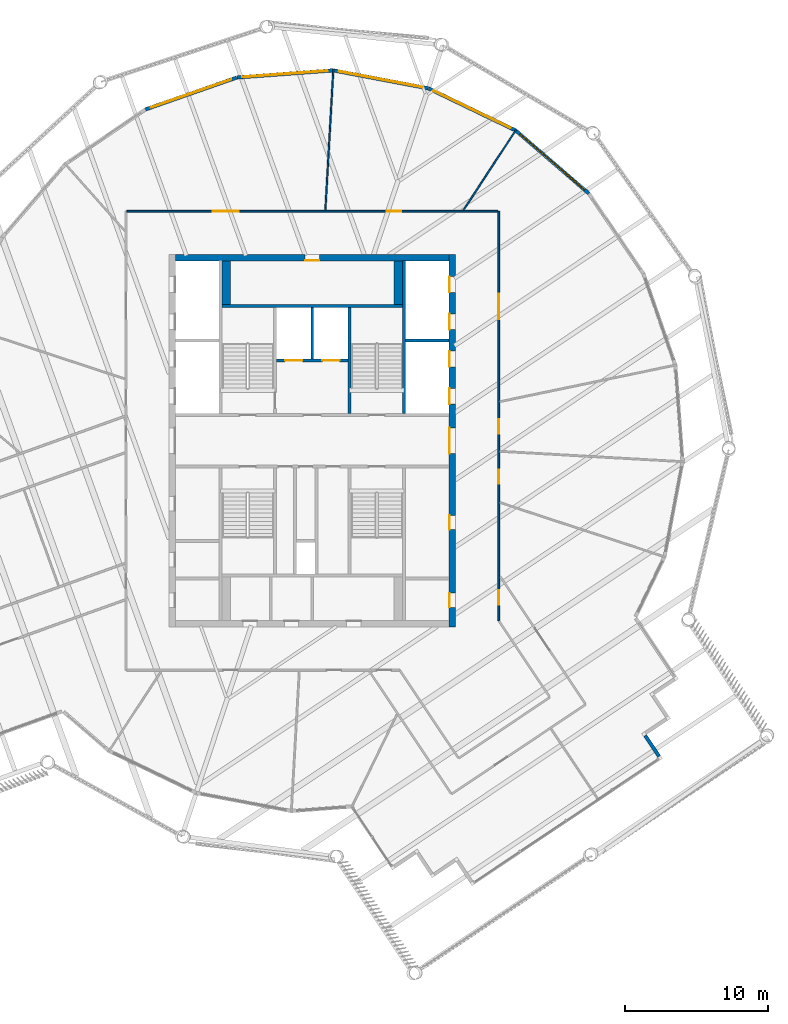
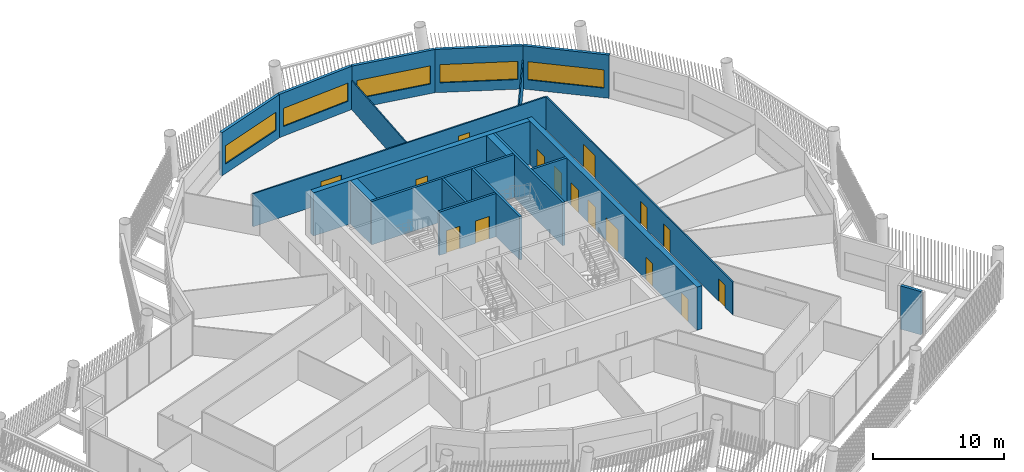
# One storey, part 19 of 28: 20 walls, 16 doors, 5 windows, 21 openings.
"""IFC4 building model written with IfcOpenShell, lengths in metres."""

from ifc_helpers import new_model, si_unit, direction, frame, frame_2d, origin, place, context, subcontext, project, spatial, rectangle, extrude, material, layer, layer_set, type_object, element, fill, save


model = new_model("IFC4")

# Units and contexts
model_context = context("Model", 3, precision=1e-05, world=origin(), true_north=direction((0.0, 1.0)))
body_context = subcontext(model_context, "Body", "Model", "MODEL_VIEW")
ifc_project = project(units=[si_unit("LENGTHUNIT", "METRE"), si_unit("AREAUNIT", "SQUARE_METRE"), si_unit("VOLUMEUNIT", "CUBIC_METRE"), si_unit("PLANEANGLEUNIT", "RADIAN"), si_unit("MASSUNIT", "GRAM", prefix="KILO")], contexts=[model_context])

# Site, building, storey
site_placement = place(None, origin())
site = spatial("IfcSite", under=ifc_project, at=site_placement, CompositionType="ELEMENT")
building_placement = place(site_placement, origin())
building = spatial("IfcBuilding", under=site, at=building_placement, Name="Tarsis Ring Headquarters", CompositionType="ELEMENT")
storey_placement = place(building_placement, frame((0.0, 0.0, 365.0)))
storey = spatial("IfcBuildingStorey", under=building, at=storey_placement, Name="L86", CompositionType="ELEMENT", Elevation=365.0)

# Wall, openings, doors
ifc_material_1 = material(Name="Concrete C50/60", Category="concrete")
ifc_layer_1 = layer(ifc_material_1, 0.449951171875)
ifc_layer_set_1 = layer_set([ifc_layer_1], Name="Core wall 450 C50/60")
wall_type_1 = type_object("IfcWallType", Name="Core wall 450 C50/60", PredefinedType="SHEAR", material=ifc_layer_set_1)
wall_1_placement = place(storey_placement, frame((9.77490234375, -13.0, 0.0), z_axis=(0.0, 0.0, 1.0), x_axis=(0.0, 1.0, 0.0)))
wall_1 = element("IfcWall", 1, at=wall_1_placement, inside=storey, type_object=wall_type_1, Name="Core wall OE", PredefinedType="SHEAR", context=body_context, shape_type="SweptSolid", body=[
    extrude(rectangle(XDim=26.0, YDim=0.449951171875, at=frame_2d((13.0, 0.0))), origin(), (0.0, 0.0, 1.0), 4.0400390625),
])
opening_1_placement = place(wall_1_placement, frame((1.375, 0.0, 0.0)))
opening_1 = element("IfcOpeningElement", 2, at=opening_1_placement, cuts=wall_1, Name="Opening L86-C09", PredefinedType="OPENING", context=body_context, shape_type="SweptSolid", body=[
    extrude(rectangle(XDim=1.0, YDim=2.10009765625, at=frame_2d((0.5, 1.050048828125))), frame((0.0, 0.23486328125, 0.0), z_axis=(0.0, -1.0, 0.0), x_axis=(1.0, 0.0, 0.0)), (0.0, 0.0, 1.0), 0.469970703125),
])
opening_2_placement = place(wall_1_placement, frame((6.800048828125, 0.0, 0.0)))
opening_2 = element("IfcOpeningElement", 3, at=opening_2_placement, cuts=wall_1, Name="Opening L86-C10", PredefinedType="OPENING", context=body_context, shape_type="SweptSolid", body=[
    extrude(rectangle(XDim=1.0, YDim=2.10009765625, at=frame_2d((0.5, 1.050048828125))), frame((0.0, 0.23486328125, 0.0), z_axis=(0.0, -1.0, 0.0), x_axis=(1.0, 0.0, 0.0)), (0.0, 0.0, 1.0), 0.469970703125),
])
opening_3_placement = place(wall_1_placement, frame((12.10009765625, 0.0, 0.0)))
opening_3 = element("IfcOpeningElement", 4, at=opening_3_placement, cuts=wall_1, Name="Opening L86-C11", PredefinedType="OPENING", context=body_context, shape_type="SweptSolid", body=[
    extrude(rectangle(XDim=1.800048828125, YDim=2.10009765625, at=frame_2d((0.89990234375, 1.050048828125))), frame((0.0, 0.23486328125, 0.0), z_axis=(0.0, -1.0, 0.0), x_axis=(1.0, 0.0, 0.0)), (0.0, 0.0, 1.0), 0.469970703125),
])
opening_4_placement = place(wall_1_placement, frame((15.550048828125, 0.0, 0.0)))
opening_4 = element("IfcOpeningElement", 5, at=opening_4_placement, cuts=wall_1, Name="Opening LD-HR5", PredefinedType="OPENING", context=body_context, shape_type="SweptSolid", body=[
    extrude(rectangle(XDim=1.10009765625, YDim=2.10009765625, at=frame_2d((0.550048828125, 1.050048828125))), frame((0.0, 0.23486328125, 0.0), z_axis=(0.0, -1.0, 0.0), x_axis=(1.0, 0.0, 0.0)), (0.0, 0.0, 1.0), 0.469970703125),
])
opening_5_placement = place(wall_1_placement, frame((18.14990234375, 0.0, 0.0)))
opening_5 = element("IfcOpeningElement", 6, at=opening_5_placement, cuts=wall_1, Name="Opening LD-HR6", PredefinedType="OPENING", context=body_context, shape_type="SweptSolid", body=[
    extrude(rectangle(XDim=1.10009765625, YDim=2.10009765625, at=frame_2d((0.550048828125, 1.050048828125))), frame((0.0, 0.23486328125, 0.0), z_axis=(0.0, -1.0, 0.0), x_axis=(1.0, 0.0, 0.0)), (0.0, 0.0, 1.0), 0.469970703125),
])
opening_6_placement = place(wall_1_placement, frame((20.75, 0.0, 0.0)))
opening_6 = element("IfcOpeningElement", 7, at=opening_6_placement, cuts=wall_1, Name="Opening LD-HR7", PredefinedType="OPENING", context=body_context, shape_type="SweptSolid", body=[
    extrude(rectangle(XDim=1.10009765625, YDim=2.10009765625, at=frame_2d((0.550048828125, 1.050048828125))), frame((0.0, 0.23486328125, 0.0), z_axis=(0.0, -1.0, 0.0), x_axis=(1.0, 0.0, 0.0)), (0.0, 0.0, 1.0), 0.469970703125),
])
opening_7_placement = place(wall_1_placement, frame((23.35009765625, 0.0, 0.0)))
opening_7 = element("IfcOpeningElement", 8, at=opening_7_placement, cuts=wall_1, Name="Opening LD-HR8", PredefinedType="OPENING", context=body_context, shape_type="SweptSolid", body=[
    extrude(rectangle(XDim=1.10009765625, YDim=2.10009765625, at=frame_2d((0.550048828125, 1.050048828125))), frame((0.0, 0.23486328125, 0.0), z_axis=(0.0, -1.0, 0.0), x_axis=(1.0, 0.0, 0.0)), (0.0, 0.0, 1.0), 0.469970703125),
])
ifc_material_2 = material(Name="Steel S355", Category="steel")
door_type_1 = type_object("IfcDoorType", Name="Core entry door 1800x2100", OperationType="DOUBLE_DOOR_SINGLE_SWING", PredefinedType="DOOR", material=ifc_material_2)
door_1_placement = place(opening_3_placement, origin())
door_1 = element("IfcDoor", 9, at=door_1_placement, inside=storey, type_object=door_type_1, Name="Core entry door L86", OperationType="DOUBLE_DOOR_SINGLE_SWING", OverallHeight=2.10009765625, OverallWidth=1.800048828125, PredefinedType="DOOR", context=body_context, shape_type="SweptSolid", body=[
    extrude(rectangle(XDim=1.800048828125, YDim=2.10009765625, at=frame_2d((0.89990234375, 1.050048828125))), frame((0.0, 0.22509765625, 0.0), z_axis=(0.0, -1.0, 0.0), x_axis=(1.0, 0.0, 0.0)), (0.0, 0.0, 1.0), 0.050048828125),
])
fill(opening_3, door_1)
door_type_2 = type_object("IfcDoorType", Name="Core room door 1000x2100", OperationType="SINGLE_SWING_LEFT", PredefinedType="DOOR", material=ifc_material_2)
door_2_placement = place(opening_1_placement, origin())
door_2 = element("IfcDoor", 10, at=door_2_placement, inside=storey, type_object=door_type_2, Name="Core room door L86", OperationType="SINGLE_SWING_LEFT", OverallHeight=2.10009765625, OverallWidth=1.0, PredefinedType="DOOR", context=body_context, shape_type="SweptSolid", body=[
    extrude(rectangle(XDim=1.0, YDim=2.10009765625, at=frame_2d((0.5, 1.050048828125))), frame((0.0, 0.22509765625, 0.0), z_axis=(0.0, -1.0, 0.0), x_axis=(1.0, 0.0, 0.0)), (0.0, 0.0, 1.0), 0.050048828125),
])
fill(opening_1, door_2)
door_3_placement = place(opening_2_placement, origin())
door_3 = element("IfcDoor", 11, at=door_3_placement, inside=storey, type_object=door_type_2, Name="Core room door L86", OperationType="SINGLE_SWING_LEFT", OverallHeight=2.10009765625, OverallWidth=1.0, PredefinedType="DOOR", context=body_context, shape_type="SweptSolid", body=[
    extrude(rectangle(XDim=1.0, YDim=2.10009765625, at=frame_2d((0.5, 1.050048828125))), frame((0.0, 0.22509765625, 0.0), z_axis=(0.0, -1.0, 0.0), x_axis=(1.0, 0.0, 0.0)), (0.0, 0.0, 1.0), 0.050048828125),
])
fill(opening_2, door_3)
door_type_3 = type_object("IfcDoorType", Name="Landing door 1100x2100", OperationType="SLIDING_TO_LEFT", PredefinedType="DOOR", material=ifc_material_2)
door_4_placement = place(opening_4_placement, origin())
door_4 = element("IfcDoor", 12, at=door_4_placement, inside=storey, type_object=door_type_3, Name="Landing door HR5 L86", OperationType="SLIDING_TO_LEFT", OverallHeight=2.10009765625, OverallWidth=1.10009765625, PredefinedType="DOOR", context=body_context, shape_type="SweptSolid", body=[
    extrude(rectangle(XDim=1.10009765625, YDim=2.10009765625, at=frame_2d((0.550048828125, 1.050048828125))), frame((0.0, 0.22509765625, 0.0), z_axis=(0.0, -1.0, 0.0), x_axis=(1.0, 0.0, 0.0)), (0.0, 0.0, 1.0), 0.050048828125),
])
fill(opening_4, door_4)
door_5_placement = place(opening_5_placement, origin())
door_5 = element("IfcDoor", 13, at=door_5_placement, inside=storey, type_object=door_type_3, Name="Landing door HR6 L86", OperationType="SLIDING_TO_LEFT", OverallHeight=2.10009765625, OverallWidth=1.10009765625, PredefinedType="DOOR", context=body_context, shape_type="SweptSolid", body=[
    extrude(rectangle(XDim=1.10009765625, YDim=2.10009765625, at=frame_2d((0.550048828125, 1.050048828125))), frame((0.0, 0.22509765625, 0.0), z_axis=(0.0, -1.0, 0.0), x_axis=(1.0, 0.0, 0.0)), (0.0, 0.0, 1.0), 0.050048828125),
])
fill(opening_5, door_5)
door_6_placement = place(opening_6_placement, origin())
door_6 = element("IfcDoor", 14, at=door_6_placement, inside=storey, type_object=door_type_3, Name="Landing door HR7 L86", OperationType="SLIDING_TO_LEFT", OverallHeight=2.10009765625, OverallWidth=1.10009765625, PredefinedType="DOOR", context=body_context, shape_type="SweptSolid", body=[
    extrude(rectangle(XDim=1.10009765625, YDim=2.10009765625, at=frame_2d((0.550048828125, 1.050048828125))), frame((0.0, 0.22509765625, 0.0), z_axis=(0.0, -1.0, 0.0), x_axis=(1.0, 0.0, 0.0)), (0.0, 0.0, 1.0), 0.050048828125),
])
fill(opening_6, door_6)
door_7_placement = place(opening_7_placement, origin())
door_7 = element("IfcDoor", 15, at=door_7_placement, inside=storey, type_object=door_type_3, Name="Landing door HR8 L86", OperationType="SLIDING_TO_LEFT", OverallHeight=2.10009765625, OverallWidth=1.10009765625, PredefinedType="DOOR", context=body_context, shape_type="SweptSolid", body=[
    extrude(rectangle(XDim=1.10009765625, YDim=2.10009765625, at=frame_2d((0.550048828125, 1.050048828125))), frame((0.0, 0.22509765625, 0.0), z_axis=(0.0, -1.0, 0.0), x_axis=(1.0, 0.0, 0.0)), (0.0, 0.0, 1.0), 0.050048828125),
])
fill(opening_7, door_7)

# Wall, opening, door
wall_2_placement = place(storey_placement, frame((-9.550048828125, 12.77490234375, 0.0), z_axis=(0.0, 0.0, 1.0), x_axis=(1.0, 0.0, 0.0)))
wall_2 = element("IfcWall", 16, at=wall_2_placement, inside=storey, type_object=wall_type_1, Name="Core wall ON", PredefinedType="SHEAR", context=body_context, shape_type="SweptSolid", body=[
    extrude(rectangle(XDim=19.10009765625, YDim=0.449951171875, at=frame_2d((9.550048828125, 0.0))), origin(), (0.0, 0.0, 1.0), 4.0400390625),
])
opening_8_placement = place(wall_2_placement, frame((9.050048828125, 0.0, 0.0)))
opening_8 = element("IfcOpeningElement", 17, at=opening_8_placement, cuts=wall_2, Name="Opening L86-C16", PredefinedType="OPENING", context=body_context, shape_type="SweptSolid", body=[
    extrude(rectangle(XDim=1.0, YDim=2.10009765625, at=frame_2d((0.5, 1.050048828125))), frame((0.0, 0.23486328125, 0.0), z_axis=(0.0, -1.0, 0.0), x_axis=(1.0, 0.0, 0.0)), (0.0, 0.0, 1.0), 0.469970703125),
])
door_8_placement = place(opening_8_placement, origin())
door_8 = element("IfcDoor", 18, at=door_8_placement, inside=storey, type_object=door_type_2, Name="Core room door L86", OperationType="SINGLE_SWING_LEFT", OverallHeight=2.10009765625, OverallWidth=1.0, PredefinedType="DOOR", context=body_context, shape_type="SweptSolid", body=[
    extrude(rectangle(XDim=1.0, YDim=2.10009765625, at=frame_2d((0.5, 1.050048828125))), frame((0.0, -0.1748046875, 0.0), z_axis=(0.0, -1.0, 0.0), x_axis=(1.0, 0.0, 0.0)), (0.0, 0.0, 1.0), 0.050048828125),
])
fill(opening_8, door_8)

# Walls
ifc_material_3 = material(Name="Gypsum board on steel studs", Category="steel")
ifc_layer_2 = layer(ifc_material_3, 0.10009765625)
ifc_layer_set_2 = layer_set([ifc_layer_2], Name="FL partition 100 unrated")
wall_type_2 = type_object("IfcWallType", Name="FL partition 100 unrated", PredefinedType="PARTITIONING", material=ifc_layer_set_2)
wall_3_placement = place(storey_placement, frame((0.90966796875, 16.06982421875, 0.0), z_axis=(0.0, 0.0, 1.0), x_axis=(0.056522633009, 0.998401318087, 0.0)))
element("IfcWall", 19, at=wall_3_placement, inside=storey, type_object=wall_type_2, Name="Partition PW3", PredefinedType="PARTITIONING", context=body_context, shape_type="SweptSolid", body=[
    extrude(rectangle(XDim=9.8525390625, YDim=0.10009765625, at=frame_2d((4.92626953125, 0.0))), origin(), (0.0, 0.0, 1.0), 2.699951171875),
])
wall_4_placement = place(storey_placement, frame((10.541015625, 16.08349609375, 0.0), z_axis=(0.0, 0.0, 1.0), x_axis=(0.548107797113, 0.83640770127, 0.0)))
element("IfcWall", 20, at=wall_4_placement, inside=storey, type_object=wall_type_2, Name="Partition PW3", PredefinedType="PARTITIONING", context=body_context, shape_type="SweptSolid", body=[
    extrude(rectangle(XDim=6.7177734375, YDim=0.10009765625, at=frame_2d((3.35888671875, 0.0))), origin(), (0.0, 0.0, 1.0), 2.699951171875),
])

# Wall, openings, doors
ifc_layer_3 = layer(ifc_material_3, 0.125)
ifc_layer_set_3 = layer_set([ifc_layer_3], Name="FL partition 125 EI 60 H3070")
wall_type_3 = type_object("IfcWallType", Name="FL partition 125 EI 60 H3070", PredefinedType="PARTITIONING", material=ifc_layer_set_3)
wall_5_placement = place(storey_placement, frame((13.0, -12.556396484375, 0.0), z_axis=(0.0, 0.0, 1.0), x_axis=(0.0, 1.0, 0.0)))
wall_5 = element("IfcWall", 21, at=wall_5_placement, inside=storey, type_object=wall_type_3, Name="Partition PW1H307", PredefinedType="PARTITIONING", context=body_context, shape_type="SweptSolid", body=[
    extrude(rectangle(XDim=28.556396484375, YDim=0.125, at=frame_2d((14.2783203125, 0.0))), origin(), (0.0, 0.0, 1.0), 3.070068359375),
])
opening_9_placement = place(wall_5_placement, frame((21.009765625, 0.0, 0.0)))
opening_9 = element("IfcOpeningElement", 22, at=opening_9_placement, cuts=wall_5, Name="Opening D86.07", PredefinedType="OPENING", context=body_context, shape_type="SweptSolid", body=[
    extrude(rectangle(XDim=1.800048828125, YDim=2.10009765625, at=frame_2d((0.89990234375, 1.050048828125))), frame((0.0, 0.072509765625, 0.0), z_axis=(0.0, -1.0, 0.0), x_axis=(1.0, 0.0, 0.0)), (0.0, 0.0, 1.0), 0.14501953125),
])
opening_10_placement = place(wall_5_placement, frame((13.041748046875, 0.0, 0.0)))
opening_10 = element("IfcOpeningElement", 23, at=opening_10_placement, cuts=wall_5, Name="Opening D86.08", PredefinedType="OPENING", context=body_context, shape_type="SweptSolid", body=[
    extrude(rectangle(XDim=1.0, YDim=2.10009765625, at=frame_2d((0.5, 1.050048828125))), frame((0.0, 0.072509765625, 0.0), z_axis=(0.0, -1.0, 0.0), x_axis=(1.0, 0.0, 0.0)), (0.0, 0.0, 1.0), 0.14501953125),
])
opening_11_placement = place(wall_5_placement, frame((9.54638671875, 0.0, 0.0)))
opening_11 = element("IfcOpeningElement", 24, at=opening_11_placement, cuts=wall_5, Name="Opening D86.09", PredefinedType="OPENING", context=body_context, shape_type="SweptSolid", body=[
    extrude(rectangle(XDim=1.0, YDim=2.10009765625, at=frame_2d((0.5, 1.050048828125))), frame((0.0, 0.072509765625, 0.0), z_axis=(0.0, -1.0, 0.0), x_axis=(1.0, 0.0, 0.0)), (0.0, 0.0, 1.0), 0.14501953125),
])
opening_12_placement = place(wall_5_placement, frame((1.119384765625, 0.0, 0.0)))
opening_12 = element("IfcOpeningElement", 25, at=opening_12_placement, cuts=wall_5, Name="Opening D86.16", PredefinedType="OPENING", context=body_context, shape_type="SweptSolid", body=[
    extrude(rectangle(XDim=1.0, YDim=2.10009765625, at=frame_2d((0.5, 1.050048828125))), frame((0.0, 0.072509765625, 0.0), z_axis=(0.0, -1.0, 0.0), x_axis=(1.0, 0.0, 0.0)), (0.0, 0.0, 1.0), 0.14501953125),
])
ifc_material_4 = material(Name="Fire-rated timber door leaf in steel frame", Category="steel")
door_type_4 = type_object("IfcDoorType", Name="FL door FD60-1000", OperationType="NOTDEFINED", PredefinedType="DOOR", material=ifc_material_4)
door_9_placement = place(opening_10_placement, origin())
door_9 = element("IfcDoor", 26, at=door_9_placement, inside=storey, type_object=door_type_4, Name="Door D86.08", OperationType="SINGLE_SWING_RIGHT", OverallHeight=2.10009765625, OverallWidth=1.0, PredefinedType="DOOR", context=body_context, shape_type="SweptSolid", body=[
    extrude(rectangle(XDim=1.0, YDim=2.10009765625, at=frame_2d((0.5, 1.050048828125))), frame((0.0, 0.02490234375, 0.0), z_axis=(0.0, -1.0, 0.0), x_axis=(1.0, 0.0, 0.0)), (0.0, 0.0, 1.0), 0.050048828125),
])
fill(opening_10, door_9)
door_10_placement = place(opening_11_placement, origin())
door_10 = element("IfcDoor", 27, at=door_10_placement, inside=storey, type_object=door_type_4, Name="Door D86.09", OperationType="SINGLE_SWING_LEFT", OverallHeight=2.10009765625, OverallWidth=1.0, PredefinedType="DOOR", context=body_context, shape_type="SweptSolid", body=[
    extrude(rectangle(XDim=1.0, YDim=2.10009765625, at=frame_2d((0.5, 1.050048828125))), frame((0.0, 0.02490234375, 0.0), z_axis=(0.0, -1.0, 0.0), x_axis=(1.0, 0.0, 0.0)), (0.0, 0.0, 1.0), 0.050048828125),
])
fill(opening_11, door_10)
door_11_placement = place(opening_12_placement, origin())
door_11 = element("IfcDoor", 28, at=door_11_placement, inside=storey, type_object=door_type_4, Name="Door D86.16", OperationType="SINGLE_SWING_RIGHT", OverallHeight=2.10009765625, OverallWidth=1.0, PredefinedType="DOOR", context=body_context, shape_type="SweptSolid", body=[
    extrude(rectangle(XDim=1.0, YDim=2.10009765625, at=frame_2d((0.5, 1.050048828125))), frame((0.0, 0.02490234375, 0.0), z_axis=(0.0, -1.0, 0.0), x_axis=(1.0, 0.0, 0.0)), (0.0, 0.0, 1.0), 0.050048828125),
])
fill(opening_12, door_11)
door_type_5 = type_object("IfcDoorType", Name="FL door FD60-1800", OperationType="DOUBLE_DOOR_SINGLE_SWING", PredefinedType="DOOR", material=ifc_material_4)
door_12_placement = place(opening_9_placement, origin())
door_12 = element("IfcDoor", 29, at=door_12_placement, inside=storey, type_object=door_type_5, Name="Door D86.07", OperationType="DOUBLE_DOOR_SINGLE_SWING", OverallHeight=2.10009765625, OverallWidth=1.800048828125, PredefinedType="DOOR", context=body_context, shape_type="SweptSolid", body=[
    extrude(rectangle(XDim=1.800048828125, YDim=2.10009765625, at=frame_2d((0.89990234375, 1.050048828125))), frame((0.0, 0.02490234375, 0.0), z_axis=(0.0, -1.0, 0.0), x_axis=(1.0, 0.0, 0.0)), (0.0, 0.0, 1.0), 0.050048828125),
])
fill(opening_9, door_12)

wall_6_placement = place(storey_placement, frame((-12.93994140625, 16.0, 0.0), z_axis=(0.0, 0.0, 1.0), x_axis=(1.0, 0.0, 0.0)))
wall_6 = element("IfcWall", 30, at=wall_6_placement, inside=storey, type_object=wall_type_3, Name="Partition PW1H307", PredefinedType="PARTITIONING", context=body_context, shape_type="SweptSolid", body=[
    extrude(rectangle(XDim=25.8798828125, YDim=0.125, at=frame_2d((12.93994140625, 0.0))), origin(), (0.0, 0.0, 1.0), 3.070068359375),
])
opening_13_placement = place(wall_6_placement, frame((5.992919921875, 0.0, 0.0)))
opening_13 = element("IfcOpeningElement", 31, at=opening_13_placement, cuts=wall_6, Name="Opening D86.05", PredefinedType="OPENING", context=body_context, shape_type="SweptSolid", body=[
    extrude(rectangle(XDim=1.800048828125, YDim=2.10009765625, at=frame_2d((0.89990234375, 1.050048828125))), frame((0.0, 0.072509765625, 0.0), z_axis=(0.0, -1.0, 0.0), x_axis=(1.0, 0.0, 0.0)), (0.0, 0.0, 1.0), 0.14501953125),
])
opening_14_placement = place(wall_6_placement, frame((18.135986328125, 0.0, 0.0)))
opening_14 = element("IfcOpeningElement", 32, at=opening_14_placement, cuts=wall_6, Name="Opening D86.06", PredefinedType="OPENING", context=body_context, shape_type="SweptSolid", body=[
    extrude(rectangle(XDim=1.0, YDim=2.10009765625, at=frame_2d((0.5, 1.050048828125))), frame((0.0, 0.072509765625, 0.0), z_axis=(0.0, -1.0, 0.0), x_axis=(1.0, 0.0, 0.0)), (0.0, 0.0, 1.0), 0.14501953125),
])
door_13_placement = place(opening_14_placement, origin())
door_13 = element("IfcDoor", 33, at=door_13_placement, inside=storey, type_object=door_type_4, Name="Door D86.06", OperationType="SINGLE_SWING_RIGHT", OverallHeight=2.10009765625, OverallWidth=1.0, PredefinedType="DOOR", context=body_context, shape_type="SweptSolid", body=[
    extrude(rectangle(XDim=1.0, YDim=2.10009765625, at=frame_2d((0.5, 1.050048828125))), frame((0.0, 0.02490234375, 0.0), z_axis=(0.0, -1.0, 0.0), x_axis=(1.0, 0.0, 0.0)), (0.0, 0.0, 1.0), 0.050048828125),
])
fill(opening_14, door_13)
door_14_placement = place(opening_13_placement, origin())
door_14 = element("IfcDoor", 34, at=door_14_placement, inside=storey, type_object=door_type_5, Name="Door D86.05", OperationType="DOUBLE_DOOR_SINGLE_SWING", OverallHeight=2.10009765625, OverallWidth=1.800048828125, PredefinedType="DOOR", context=body_context, shape_type="SweptSolid", body=[
    extrude(rectangle(XDim=1.800048828125, YDim=2.10009765625, at=frame_2d((0.89990234375, 1.050048828125))), frame((0.0, 0.02490234375, 0.0), z_axis=(0.0, -1.0, 0.0), x_axis=(1.0, 0.0, 0.0)), (0.0, 0.0, 1.0), 0.050048828125),
])
fill(opening_13, door_14)

# Wall
ifc_material_5 = material(Name="Terracotta clad insulated panel wall", Category="masonry")
ifc_layer_4 = layer(ifc_material_5, 0.25)
ifc_layer_set_4 = layer_set([ifc_layer_4], Name="Facade wall terracotta panel 250")
wall_type_4 = type_object("IfcWallType", Name="Facade wall terracotta panel 250", PredefinedType="STANDARD", material=ifc_layer_set_4)
wall_7_placement = place(storey_placement, frame((24.19091796875, -22.019775390625, 0.0), z_axis=(0.0, 0.0, 1.0), x_axis=(-0.555697883298, 0.831384304939, 0.0)))
element("IfcWall", 35, at=wall_7_placement, inside=storey, type_object=wall_type_4, Name="External wall L86-12", PredefinedType="STANDARD", context=body_context, shape_type="SweptSolid", body=[
    extrude(rectangle(XDim=1.75, YDim=0.25, at=frame_2d((0.875, 0.0))), origin(), (0.0, 0.0, 1.0), 4.0400390625),
])

# Wall, opening, window
wall_8_placement = place(storey_placement, frame((19.287841796875, 17.2431640625, 0.0), z_axis=(0.0, 0.0, 1.0), x_axis=(-0.757692965208, 0.652611193954, 0.0)))
wall_8 = element("IfcWall", 36, at=wall_8_placement, inside=storey, type_object=wall_type_4, Name="External wall L86-22", PredefinedType="STANDARD", context=body_context, shape_type="SweptSolid", body=[
    extrude(rectangle(XDim=6.721435546875, YDim=0.25, at=frame_2d((3.36083984375, 0.0))), origin(), (0.0, 0.0, 1.0), 4.0400390625),
])
opening_15_placement = place(wall_8_placement, frame((0.3857421875, 0.0, 0.89990234375)))
opening_15 = element("IfcOpeningElement", 37, at=opening_15_placement, cuts=wall_8, Name="Opening WN07", PredefinedType="OPENING", context=body_context, shape_type="SweptSolid", body=[
    extrude(rectangle(XDim=5.949951171875, YDim=1.699951171875, at=frame_2d((2.97509765625, 0.85009765625))), frame((0.0, 0.135009765625, 0.0), z_axis=(0.0, -1.0, 0.0), x_axis=(1.0, 0.0, 0.0)), (0.0, 0.0, 1.0), 0.27001953125),
])
ifc_material_6 = material(Name="Aluminium framed double glazing", Category="aluminium")
window_type = type_object("IfcWindowType", Name="Facade window 5950 x 1700", PartitioningType="SINGLE_PANEL", PredefinedType="WINDOW", material=ifc_material_6)
window_1_placement = place(opening_15_placement, origin())
window_1 = element("IfcWindow", 38, at=window_1_placement, inside=storey, type_object=window_type, Name="Window L86-22.1", OverallHeight=1.699951171875, OverallWidth=5.949951171875, PartitioningType="SINGLE_PANEL", PredefinedType="WINDOW", context=body_context, shape_type="SweptSolid", body=[
    extrude(rectangle(XDim=5.949951171875, YDim=1.699951171875, at=frame_2d((2.97509765625, 0.85009765625))), frame((0.0, 0.030029296875, 0.0), z_axis=(0.0, -1.0, 0.0), x_axis=(1.0, 0.0, 0.0)), (0.0, 0.0, 1.0), 0.06005859375),
])
fill(opening_15, window_1)

wall_9_placement = place(storey_placement, frame((14.16796875, 21.647705078125, 0.0), z_axis=(0.0, 0.0, 1.0), x_axis=(-0.900784919903, 0.434265504127, 0.0)))
wall_9 = element("IfcWall", 39, at=wall_9_placement, inside=storey, type_object=wall_type_4, Name="External wall L86-23", PredefinedType="STANDARD", context=body_context, shape_type="SweptSolid", body=[
    extrude(rectangle(XDim=6.7216796875, YDim=0.25, at=frame_2d((3.36083984375, 0.0))), origin(), (0.0, 0.0, 1.0), 4.0400390625),
])
opening_16_placement = place(wall_9_placement, frame((0.3857421875, 0.0, 0.89990234375)))
opening_16 = element("IfcOpeningElement", 40, at=opening_16_placement, cuts=wall_9, Name="Opening WN07", PredefinedType="OPENING", context=body_context, shape_type="SweptSolid", body=[
    extrude(rectangle(XDim=5.949951171875, YDim=1.699951171875, at=frame_2d((2.97509765625, 0.85009765625))), frame((0.0, 0.135009765625, 0.0), z_axis=(0.0, -1.0, 0.0), x_axis=(1.0, 0.0, 0.0)), (0.0, 0.0, 1.0), 0.27001953125),
])
window_2_placement = place(opening_16_placement, origin())
window_2 = element("IfcWindow", 41, at=window_2_placement, inside=storey, type_object=window_type, Name="Window L86-23.1", OverallHeight=1.699951171875, OverallWidth=5.949951171875, PartitioningType="SINGLE_PANEL", PredefinedType="WINDOW", context=body_context, shape_type="SweptSolid", body=[
    extrude(rectangle(XDim=5.949951171875, YDim=1.699951171875, at=frame_2d((2.97509765625, 0.85009765625))), frame((0.0, 0.030029296875, 0.0), z_axis=(0.0, -1.0, 0.0), x_axis=(1.0, 0.0, 0.0)), (0.0, 0.0, 1.0), 0.06005859375),
])
fill(opening_16, window_2)

wall_10_placement = place(storey_placement, frame((8.082275390625, 24.576904296875, 0.0), z_axis=(0.0, 0.0, 1.0), x_axis=(-0.982479759493, 0.186369316646, 0.0)))
wall_10 = element("IfcWall", 42, at=wall_10_placement, inside=storey, type_object=wall_type_4, Name="External wall L86-24", PredefinedType="STANDARD", context=body_context, shape_type="SweptSolid", body=[
    extrude(rectangle(XDim=6.721435546875, YDim=0.25, at=frame_2d((3.36083984375, 0.0))), origin(), (0.0, 0.0, 1.0), 4.0400390625),
])
opening_17_placement = place(wall_10_placement, frame((0.3857421875, 0.0, 0.89990234375)))
opening_17 = element("IfcOpeningElement", 43, at=opening_17_placement, cuts=wall_10, Name="Opening WN07", PredefinedType="OPENING", context=body_context, shape_type="SweptSolid", body=[
    extrude(rectangle(XDim=5.949951171875, YDim=1.699951171875, at=frame_2d((2.97509765625, 0.85009765625))), frame((0.0, 0.135009765625, 0.0), z_axis=(0.0, -1.0, 0.0), x_axis=(1.0, 0.0, 0.0)), (0.0, 0.0, 1.0), 0.27001953125),
])
window_3_placement = place(opening_17_placement, origin())
window_3 = element("IfcWindow", 44, at=window_3_placement, inside=storey, type_object=window_type, Name="Window L86-24.1", OverallHeight=1.699951171875, OverallWidth=5.949951171875, PartitioningType="SINGLE_PANEL", PredefinedType="WINDOW", context=body_context, shape_type="SweptSolid", body=[
    extrude(rectangle(XDim=5.949951171875, YDim=1.699951171875, at=frame_2d((2.97509765625, 0.85009765625))), frame((0.0, 0.030029296875, 0.0), z_axis=(0.0, -1.0, 0.0), x_axis=(1.0, 0.0, 0.0)), (0.0, 0.0, 1.0), 0.06005859375),
])
fill(opening_17, window_3)

wall_11_placement = place(storey_placement, frame((1.446044921875, 25.831298828125, 0.0), z_axis=(0.0, 0.0, 1.0), x_axis=(-0.997237643813, -0.07427706081, 0.0)))
wall_11 = element("IfcWall", 45, at=wall_11_placement, inside=storey, type_object=wall_type_4, Name="External wall L86-25", PredefinedType="STANDARD", context=body_context, shape_type="SweptSolid", body=[
    extrude(rectangle(XDim=6.7216796875, YDim=0.25, at=frame_2d((3.36083984375, 0.0))), origin(), (0.0, 0.0, 1.0), 4.0400390625),
])
opening_18_placement = place(wall_11_placement, frame((0.3857421875, 0.0, 0.89990234375)))
opening_18 = element("IfcOpeningElement", 46, at=opening_18_placement, cuts=wall_11, Name="Opening WN07", PredefinedType="OPENING", context=body_context, shape_type="SweptSolid", body=[
    extrude(rectangle(XDim=5.949951171875, YDim=1.699951171875, at=frame_2d((2.97509765625, 0.85009765625))), frame((0.0, 0.135009765625, 0.0), z_axis=(0.0, -1.0, 0.0), x_axis=(1.0, 0.0, 0.0)), (0.0, 0.0, 1.0), 0.27001953125),
])
window_4_placement = place(opening_18_placement, origin())
window_4 = element("IfcWindow", 47, at=window_4_placement, inside=storey, type_object=window_type, Name="Window L86-25.1", OverallHeight=1.699951171875, OverallWidth=5.949951171875, PartitioningType="SINGLE_PANEL", PredefinedType="WINDOW", context=body_context, shape_type="SweptSolid", body=[
    extrude(rectangle(XDim=5.949951171875, YDim=1.699951171875, at=frame_2d((2.97509765625, 0.85009765625))), frame((0.0, 0.030029296875, 0.0), z_axis=(0.0, -1.0, 0.0), x_axis=(1.0, 0.0, 0.0)), (0.0, 0.0, 1.0), 0.06005859375),
])
fill(opening_18, window_4)

wall_12_placement = place(storey_placement, frame((-5.2890625, 25.325439453125, 0.0), z_axis=(0.0, 0.0, 1.0), x_axis=(-0.94402245963, -0.329881184238, 0.0)))
wall_12 = element("IfcWall", 48, at=wall_12_placement, inside=storey, type_object=wall_type_4, Name="External wall L86-26", PredefinedType="STANDARD", context=body_context, shape_type="SweptSolid", body=[
    extrude(rectangle(XDim=6.721435546875, YDim=0.25, at=frame_2d((3.36083984375, 0.0))), origin(), (0.0, 0.0, 1.0), 4.0400390625),
])
opening_19_placement = place(wall_12_placement, frame((0.3857421875, 0.0, 0.89990234375)))
opening_19 = element("IfcOpeningElement", 49, at=opening_19_placement, cuts=wall_12, Name="Opening WN07", PredefinedType="OPENING", context=body_context, shape_type="SweptSolid", body=[
    extrude(rectangle(XDim=5.949951171875, YDim=1.699951171875, at=frame_2d((2.97509765625, 0.85009765625))), frame((0.0, 0.135009765625, 0.0), z_axis=(0.0, -1.0, 0.0), x_axis=(1.0, 0.0, 0.0)), (0.0, 0.0, 1.0), 0.27001953125),
])
window_5_placement = place(opening_19_placement, origin())
window_5 = element("IfcWindow", 50, at=window_5_placement, inside=storey, type_object=window_type, Name="Window L86-26.1", OverallHeight=1.699951171875, OverallWidth=5.949951171875, PartitioningType="SINGLE_PANEL", PredefinedType="WINDOW", context=body_context, shape_type="SweptSolid", body=[
    extrude(rectangle(XDim=5.949951171875, YDim=1.699951171875, at=frame_2d((2.97509765625, 0.85009765625))), frame((0.0, 0.030029296875, 0.0), z_axis=(0.0, -1.0, 0.0), x_axis=(1.0, 0.0, 0.0)), (0.0, 0.0, 1.0), 0.06005859375),
])
fill(opening_19, window_5)

# Walls
ifc_material_7 = material(Name="Concrete C32/40", Category="concrete")
ifc_layer_5 = layer(ifc_material_7, 0.60009765625)
ifc_layer_set_5 = layer_set([ifc_layer_5], Name="Shaft end wall 600 C32/40")
wall_type_5 = type_object("IfcWallType", Name="Shaft end wall 600 C32/40", PredefinedType="SOLIDWALL", material=ifc_layer_set_5)
for number, where, z_axis, x_axis, name in (
    (51, (-6.0, 9.5, 0.0), (0.0, 0.0, 1.0), (0.0, 1.0, 0.0), "Core shaft wall NNE1"),
    (52, (6.0, 9.5, 0.0), (0.0, 0.0, 1.0), (0.0, 1.0, 0.0), "Core shaft wall NNE2"),
):
    element("IfcWall", number, at=place(storey_placement, frame(where, z_axis=z_axis, x_axis=x_axis)), inside=storey, type_object=wall_type_5, Name=name, PredefinedType="SOLIDWALL", context=body_context, shape_type="SweptSolid", body=[
        extrude(rectangle(XDim=3.050048828125, YDim=0.60009765625, at=frame_2d((1.52490234375, 0.0))), origin(), (0.0, 0.0, 1.0), 4.0400390625),
    ])
ifc_layer_6 = layer(ifc_material_7, 0.199951171875)
ifc_layer_set_6 = layer_set([ifc_layer_6], Name="Shaft wall 200 C32/40")
wall_type_6 = type_object("IfcWallType", Name="Shaft wall 200 C32/40", PredefinedType="SOLIDWALL", material=ifc_layer_set_6)
wall_13_placement = place(storey_placement, frame((6.39990234375, 1.89990234375, 0.0), z_axis=(0.0, 0.0, 1.0), x_axis=(0.0, 1.0, 0.0)))
element("IfcWall", 53, at=wall_13_placement, inside=storey, type_object=wall_type_6, Name="Core shaft wall EB2", PredefinedType="SOLIDWALL", context=body_context, shape_type="SweptSolid", body=[
    extrude(rectangle(XDim=10.650146484375, YDim=0.199951171875, at=frame_2d((5.3251953125, 0.0))), origin(), (0.0, 0.0, 1.0), 4.0400390625),
])
wall_14_placement = place(storey_placement, frame((-6.300048828125, 9.39990234375, 0.0), z_axis=(0.0, 0.0, 1.0), x_axis=(1.0, 0.0, 0.0)))
element("IfcWall", 54, at=wall_14_placement, inside=storey, type_object=wall_type_6, Name="Core shaft wall NB", PredefinedType="SOLIDWALL", context=body_context, shape_type="SweptSolid", body=[
    extrude(rectangle(XDim=12.60009765625, YDim=0.199951171875, at=frame_2d((6.300048828125, 0.0))), origin(), (0.0, 0.0, 1.0), 4.0400390625),
])
wall_15_placement = place(storey_placement, frame((2.60009765625, 1.89990234375, 0.0), z_axis=(0.0, 0.0, 1.0), x_axis=(0.0, 1.0, 0.0)))
element("IfcWall", 55, at=wall_15_placement, inside=storey, type_object=wall_type_6, Name="Core shaft wall SW2", PredefinedType="SOLIDWALL", context=body_context, shape_type="SweptSolid", body=[
    extrude(rectangle(XDim=7.400146484375, YDim=0.199951171875, at=frame_2d((3.7001953125, 0.0))), origin(), (0.0, 0.0, 1.0), 4.0400390625),
])

# Wall, openings, doors
wall_16_placement = place(storey_placement, frame((-2.5, 5.60009765625, 0.0), z_axis=(0.0, 0.0, 1.0), x_axis=(1.0, 0.0, 0.0)))
wall_16 = element("IfcWall", 56, at=wall_16_placement, inside=storey, type_object=wall_type_6, Name="Core shaft wall FFN", PredefinedType="SOLIDWALL", context=body_context, shape_type="SweptSolid", body=[
    extrude(rectangle(XDim=5.0, YDim=0.199951171875, at=frame_2d((2.5, 0.0))), origin(), (0.0, 0.0, 1.0), 4.0400390625),
])
opening_20_placement = place(wall_16_placement, frame((0.60009765625, 0.0, 0.0)))
opening_20 = element("IfcOpeningElement", 57, at=opening_20_placement, cuts=wall_16, Name="Opening LDF-1", PredefinedType="OPENING", context=body_context, shape_type="SweptSolid", body=[
    extrude(rectangle(XDim=1.199951171875, YDim=2.10009765625, at=frame_2d((0.60009765625, 1.050048828125))), frame((0.0, 0.10986328125, 0.0), z_axis=(0.0, -1.0, 0.0), x_axis=(1.0, 0.0, 0.0)), (0.0, 0.0, 1.0), 0.219970703125),
])
opening_21_placement = place(wall_16_placement, frame((3.199951171875, 0.0, 0.0)))
opening_21 = element("IfcOpeningElement", 58, at=opening_21_placement, cuts=wall_16, Name="Opening LDF-2", PredefinedType="OPENING", context=body_context, shape_type="SweptSolid", body=[
    extrude(rectangle(XDim=1.199951171875, YDim=2.10009765625, at=frame_2d((0.60009765625, 1.050048828125))), frame((0.0, 0.10986328125, 0.0), z_axis=(0.0, -1.0, 0.0), x_axis=(1.0, 0.0, 0.0)), (0.0, 0.0, 1.0), 0.219970703125),
])
door_type_6 = type_object("IfcDoorType", Name="Firefighting landing door 1200x2100", OperationType="SLIDING_TO_LEFT", PredefinedType="DOOR", material=ifc_material_2)
door_15_placement = place(opening_20_placement, origin())
door_15 = element("IfcDoor", 59, at=door_15_placement, inside=storey, type_object=door_type_6, Name="Landing door FF1 L86", OperationType="SLIDING_TO_LEFT", OverallHeight=2.10009765625, OverallWidth=1.199951171875, PredefinedType="DOOR", context=body_context, shape_type="SweptSolid", body=[
    extrude(rectangle(XDim=1.199951171875, YDim=2.10009765625, at=frame_2d((0.60009765625, 1.050048828125))), frame((0.0, 0.02490234375, 0.0), z_axis=(0.0, -1.0, 0.0), x_axis=(1.0, 0.0, 0.0)), (0.0, 0.0, 1.0), 0.050048828125),
])
fill(opening_20, door_15)
door_16_placement = place(opening_21_placement, origin())
door_16 = element("IfcDoor", 60, at=door_16_placement, inside=storey, type_object=door_type_6, Name="Landing door FF2 L86", OperationType="SLIDING_TO_LEFT", OverallHeight=2.10009765625, OverallWidth=1.199951171875, PredefinedType="DOOR", context=body_context, shape_type="SweptSolid", body=[
    extrude(rectangle(XDim=1.199951171875, YDim=2.10009765625, at=frame_2d((0.60009765625, 1.050048828125))), frame((0.0, 0.02490234375, 0.0), z_axis=(0.0, -1.0, 0.0), x_axis=(1.0, 0.0, 0.0)), (0.0, 0.0, 1.0), 0.050048828125),
])
fill(opening_21, door_16)

# Walls
wall_17_placement = place(storey_placement, frame((0.0, 5.699951171875, 0.0), z_axis=(0.0, 0.0, 1.0), x_axis=(0.0, 1.0, 0.0)))
element("IfcWall", 61, at=wall_17_placement, inside=storey, type_object=wall_type_6, Name="Core shaft wall FFD", PredefinedType="SOLIDWALL", context=body_context, shape_type="SweptSolid", body=[
    extrude(rectangle(XDim=3.60009765625, YDim=0.199951171875, at=frame_2d((1.800048828125, 0.0))), origin(), (0.0, 0.0, 1.0), 4.0400390625),
])
wall_18_placement = place(storey_placement, frame((6.5, 7.0, 0.0), z_axis=(0.0, 0.0, 1.0), x_axis=(1.0, 0.0, 0.0)))
element("IfcWall", 62, at=wall_18_placement, inside=storey, type_object=wall_type_6, Name="Core shaft wall ED6", PredefinedType="SOLIDWALL", context=body_context, shape_type="SweptSolid", body=[
    extrude(rectangle(XDim=3.050048828125, YDim=0.199951171875, at=frame_2d((1.52490234375, 0.0))), origin(), (0.0, 0.0, 1.0), 4.0400390625),
])

save(model, "model.ifc")
